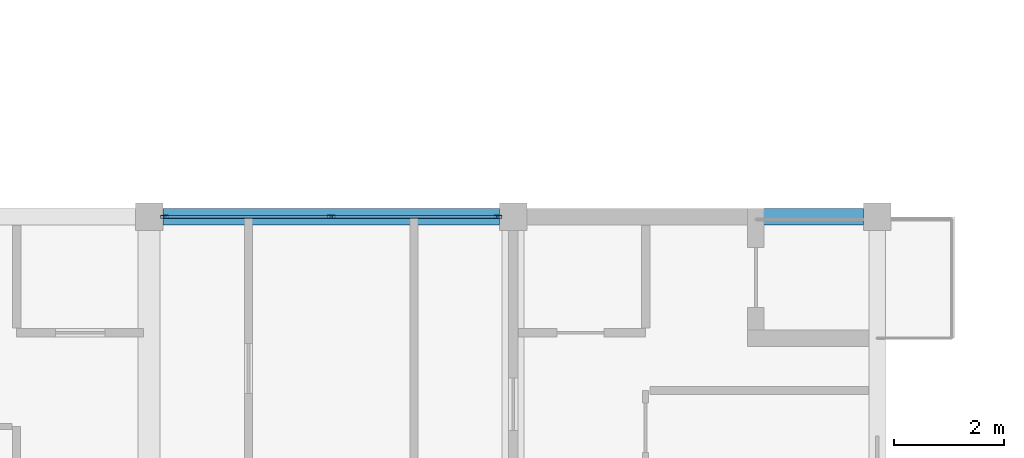
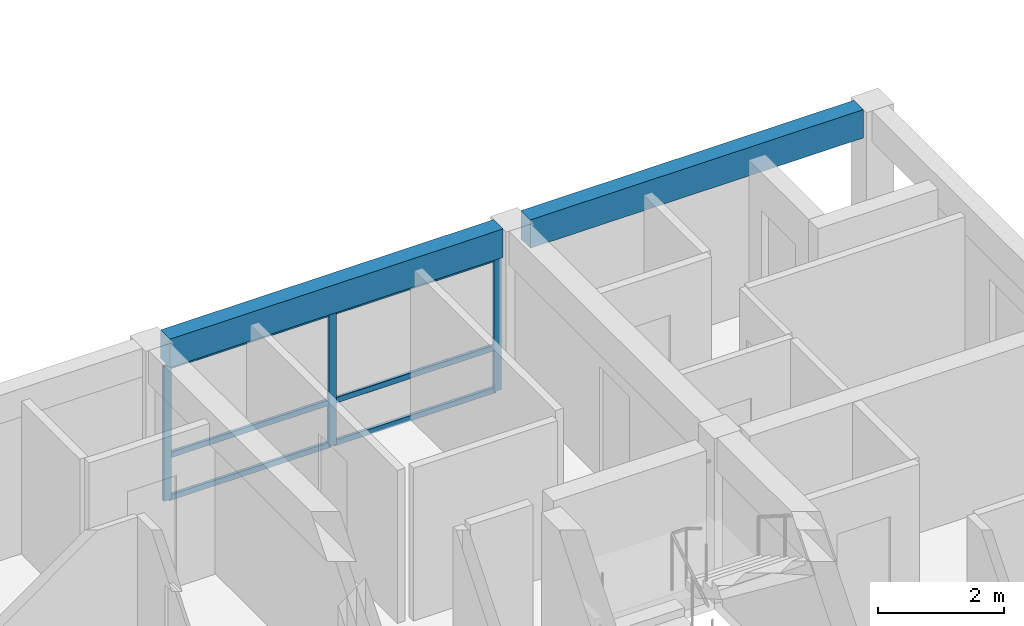
# One storey, part 13 of 52: 9 members, 2 beams, 1 element without a shape of its own.
"""IFC4 building model written with IfcOpenShell, lengths in metres."""

from ifc_helpers import new_model, si_unit, direction, frame, origin, origin_2d, place, context, subcontext, project, spatial, rectangle, hollow_rectangle, extrude, material, material_profile, profile_set, type_object, element, aggregate, save


model = new_model("IFC4")

# Units and contexts
model_context = context("Model", 3, precision=1e-05, world=origin(), true_north=direction((0.0, 1.0)))
body_context = subcontext(model_context, "Body", "Model", "MODEL_VIEW")
ifc_project = project(units=[si_unit("LENGTHUNIT", "METRE"), si_unit("AREAUNIT", "SQUARE_METRE"), si_unit("VOLUMEUNIT", "CUBIC_METRE"), si_unit("PLANEANGLEUNIT", "RADIAN"), si_unit("MASSUNIT", "GRAM", prefix="KILO")], contexts=[model_context])

# Site, building, storey
site_placement = place(None, origin())
site = spatial("IfcSite", under=ifc_project, at=site_placement, CompositionType="ELEMENT")
building_placement = place(site_placement, origin())
building = spatial("IfcBuilding", under=site, at=building_placement, Name="Kernevlak Ridge Housing Community", CompositionType="ELEMENT")
storey_placement = place(building_placement, frame((0.0, 0.0, 11.60009765625)))
storey = spatial("IfcBuildingStorey", under=building, at=storey_placement, Name="L03", CompositionType="ELEMENT", Elevation=11.60009765625)

# Curtain wall, members
ifc_material_1 = material(Name="Aluminium EN AW-6060 anodised and laminated glass", Category="aluminium")
curtain_wall_type = type_object("IfcCurtainWallType", Name="CW-13", PredefinedType="NOTDEFINED", material=ifc_material_1)
curtain_wall_placement = place(storey_placement, origin())
curtain_wall = element("IfcCurtainWall", 1, at=curtain_wall_placement, inside=storey, type_object=curtain_wall_type, Name="Curtain wall CW-13 CW-L03-111", PredefinedType="NOTDEFINED")
ifc_material_2 = material(Name="Aluminium EN AW-6060 anodised", Category="aluminium")
ifc_material_profile_1 = material_profile(ifc_material_2, hollow_rectangle(XDim=0.054931640625, YDim=0.139892578125, WallThickness=0.00390625, InnerFilletRadius=0.001953125, OuterFilletRadius=0.00390625, at=origin_2d()), Name="ALU 55x140x4")
ifc_profile_set_1 = profile_set([ifc_material_profile_1], Name="Aluminium EN AW-6060 anodised")
member_type_1 = type_object("IfcMemberType", Name="MU-01", PredefinedType="MULLION", material=ifc_profile_set_1)
member_1_placement = place(storey_placement, frame((132.87744140625, 42.0, 0.0), z_axis=(0.0, 0.0, 1.0), x_axis=(0.0, 1.0, 0.0)))
member_1 = element("IfcMember", 2, at=member_1_placement, type_object=member_type_1, Name="CW-13 mullion 1", PredefinedType="MULLION", context=body_context, shape_type="SweptSolid", body=[
    extrude(hollow_rectangle(XDim=0.054931640625, YDim=0.139892578125, WallThickness=0.00390625, InnerFilletRadius=0.001953125, OuterFilletRadius=0.00390625, at=origin_2d()), origin(), (0.0, 0.0, 1.0), 2.599853515625),
])
member_2_placement = place(storey_placement, frame((135.89990234375, 42.0, 0.0), z_axis=(0.0, 0.0, 1.0), x_axis=(0.0, 1.0, 0.0)))
member_2 = element("IfcMember", 3, at=member_2_placement, type_object=member_type_1, Name="CW-13 mullion 2", PredefinedType="MULLION", context=body_context, shape_type="SweptSolid", body=[
    extrude(hollow_rectangle(XDim=0.054931640625, YDim=0.139892578125, WallThickness=0.00390625, InnerFilletRadius=0.001953125, OuterFilletRadius=0.00390625, at=origin_2d()), origin(), (0.0, 0.0, 1.0), 2.599853515625),
])
member_3_placement = place(storey_placement, frame((138.922607421875, 42.0, 0.0), z_axis=(0.0, 0.0, 1.0), x_axis=(0.0, 1.0, 0.0)))
member_3 = element("IfcMember", 4, at=member_3_placement, type_object=member_type_1, Name="CW-13 mullion 3", PredefinedType="MULLION", context=body_context, shape_type="SweptSolid", body=[
    extrude(hollow_rectangle(XDim=0.054931640625, YDim=0.139892578125, WallThickness=0.00390625, InnerFilletRadius=0.001953125, OuterFilletRadius=0.00390625, at=origin_2d()), origin(), (0.0, 0.0, 1.0), 2.599853515625),
])

# Beams
ifc_material_3 = material(Name="Concrete C35/45", Category="concrete")
ifc_material_profile_2 = material_profile(ifc_material_3, rectangle(XDim=0.300048828125, YDim=0.550048828125, at=origin_2d()), Name="RC 300x550")
ifc_profile_set_2 = profile_set([ifc_material_profile_2], Name="Concrete C35/45")
beam_type = type_object("IfcBeamType", Name="SP-01", PredefinedType="SPANDREL", material=ifc_profile_set_2)
beam_1_placement = place(storey_placement, frame((132.85009765625, 42.0, 2.9248046875), z_axis=(1.0, 0.0, 0.0), x_axis=(0.0, 1.0, 0.0)))
element("IfcBeam", 5, at=beam_1_placement, inside=storey, type_object=beam_type, Name="Beam SP-01 L03 1088", PredefinedType="SPANDREL", context=body_context, shape_type="SweptSolid", body=[
    extrude(rectangle(XDim=0.300048828125, YDim=0.550048828125, at=origin_2d()), origin(), (0.0, 0.0, 1.0), 6.099853515625),
])
beam_2_placement = place(storey_placement, frame((139.449951171875, 42.0, 2.9248046875), z_axis=(1.0, 0.0, 0.0), x_axis=(0.0, 1.0, 0.0)))
element("IfcBeam", 6, at=beam_2_placement, inside=storey, type_object=beam_type, Name="Beam SP-01 L03 1089", PredefinedType="SPANDREL", context=body_context, shape_type="SweptSolid", body=[
    extrude(rectangle(XDim=0.300048828125, YDim=0.550048828125, at=origin_2d()), origin(), (0.0, 0.0, 1.0), 6.10009765625),
])

# Member
ifc_material_profile_3 = material_profile(ifc_material_2, hollow_rectangle(XDim=0.054931640625, YDim=0.110107421875, WallThickness=0.00390625, InnerFilletRadius=0.001953125, OuterFilletRadius=0.00390625, at=origin_2d()), Name="ALU 55x110x4")
ifc_profile_set_3 = profile_set([ifc_material_profile_3], Name="Aluminium EN AW-6060 anodised")
member_type_2 = type_object("IfcMemberType", Name="TM-01", PredefinedType="USERDEFINED", material=ifc_profile_set_3)
member_4_placement = place(storey_placement, frame((132.905029296875, 42.0, 0.02734375), z_axis=(1.0, 0.0, 0.0), x_axis=(0.0, 1.0, 0.0)))
member_4 = element("IfcMember", 7, at=member_4_placement, type_object=member_type_2, Name="CW-13 transom 1.1", ObjectType="TRANSOM", PredefinedType="USERDEFINED", context=body_context, shape_type="SweptSolid", body=[
    extrude(hollow_rectangle(XDim=0.054931640625, YDim=0.110107421875, WallThickness=0.00390625, InnerFilletRadius=0.001953125, OuterFilletRadius=0.00390625, at=origin_2d()), origin(), (0.0, 0.0, 1.0), 2.967529296875),
])

member_5_placement = place(storey_placement, frame((132.905029296875, 42.0, 0.849853515625), z_axis=(1.0, 0.0, 0.0), x_axis=(0.0, 1.0, 0.0)))
member_5 = element("IfcMember", 8, at=member_5_placement, type_object=member_type_2, Name="CW-13 transom 1.2", ObjectType="TRANSOM", PredefinedType="USERDEFINED", context=body_context, shape_type="SweptSolid", body=[
    extrude(hollow_rectangle(XDim=0.054931640625, YDim=0.110107421875, WallThickness=0.00390625, InnerFilletRadius=0.001953125, OuterFilletRadius=0.00390625, at=origin_2d()), origin(), (0.0, 0.0, 1.0), 2.967529296875),
])

member_6_placement = place(storey_placement, frame((132.905029296875, 42.0, 2.572509765625), z_axis=(1.0, 0.0, 0.0), x_axis=(0.0, 1.0, 0.0)))
member_6 = element("IfcMember", 9, at=member_6_placement, type_object=member_type_2, Name="CW-13 transom 1.3", ObjectType="TRANSOM", PredefinedType="USERDEFINED", context=body_context, shape_type="SweptSolid", body=[
    extrude(hollow_rectangle(XDim=0.054931640625, YDim=0.110107421875, WallThickness=0.00390625, InnerFilletRadius=0.001953125, OuterFilletRadius=0.00390625, at=origin_2d()), origin(), (0.0, 0.0, 1.0), 2.967529296875),
])

member_7_placement = place(storey_placement, frame((135.927490234375, 42.0, 0.02734375), z_axis=(1.0, 0.0, 0.0), x_axis=(0.0, 1.0, 0.0)))
member_7 = element("IfcMember", 10, at=member_7_placement, type_object=member_type_2, Name="CW-13 transom 2.1", ObjectType="TRANSOM", PredefinedType="USERDEFINED", context=body_context, shape_type="SweptSolid", body=[
    extrude(hollow_rectangle(XDim=0.054931640625, YDim=0.110107421875, WallThickness=0.00390625, InnerFilletRadius=0.001953125, OuterFilletRadius=0.00390625, at=origin_2d()), origin(), (0.0, 0.0, 1.0), 2.967529296875),
])

member_8_placement = place(storey_placement, frame((135.927490234375, 42.0, 0.849853515625), z_axis=(1.0, 0.0, 0.0), x_axis=(0.0, 1.0, 0.0)))
member_8 = element("IfcMember", 11, at=member_8_placement, type_object=member_type_2, Name="CW-13 transom 2.2", ObjectType="TRANSOM", PredefinedType="USERDEFINED", context=body_context, shape_type="SweptSolid", body=[
    extrude(hollow_rectangle(XDim=0.054931640625, YDim=0.110107421875, WallThickness=0.00390625, InnerFilletRadius=0.001953125, OuterFilletRadius=0.00390625, at=origin_2d()), origin(), (0.0, 0.0, 1.0), 2.967529296875),
])

member_9_placement = place(storey_placement, frame((135.927490234375, 42.0, 2.572509765625), z_axis=(1.0, 0.0, 0.0), x_axis=(0.0, 1.0, 0.0)))
member_9 = element("IfcMember", 12, at=member_9_placement, type_object=member_type_2, Name="CW-13 transom 2.3", ObjectType="TRANSOM", PredefinedType="USERDEFINED", context=body_context, shape_type="SweptSolid", body=[
    extrude(hollow_rectangle(XDim=0.054931640625, YDim=0.110107421875, WallThickness=0.00390625, InnerFilletRadius=0.001953125, OuterFilletRadius=0.00390625, at=origin_2d()), origin(), (0.0, 0.0, 1.0), 2.967529296875),
])

aggregate(curtain_wall, [member_1, member_2, member_3, member_4, member_5, member_6, member_7, member_8, member_9])

save(model, "model.ifc")
